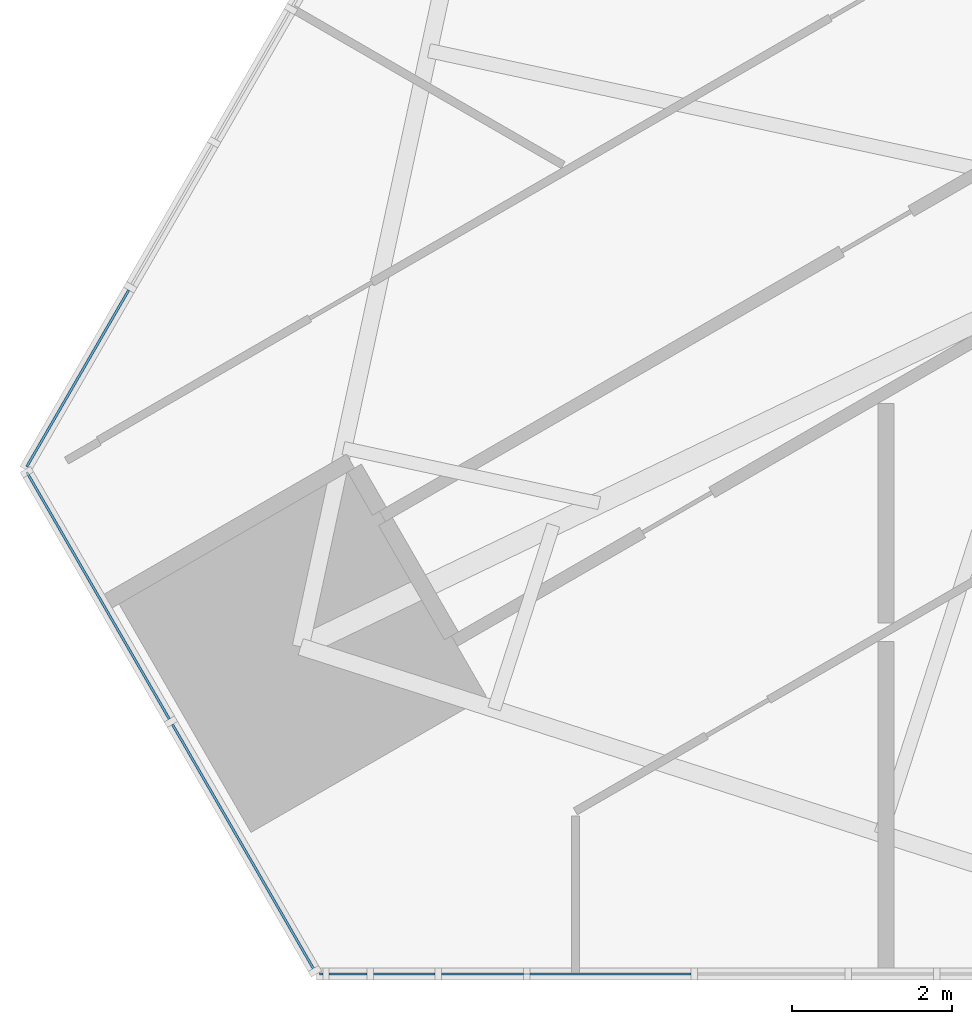
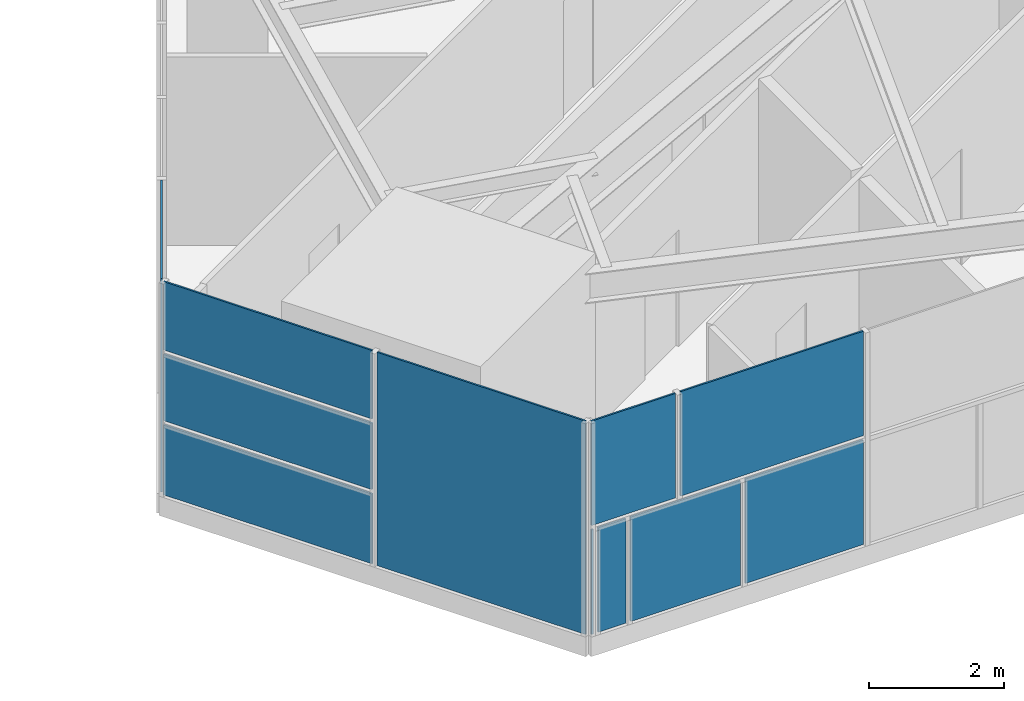
# One storey, part 11 of 25: 11 plates, 3 elements without a shape of their own.
"""IFC4 building model written with IfcOpenShell, lengths in metres."""

from ifc_helpers import new_model, si_unit, direction, frame, origin, place, context, subcontext, project, spatial, polyline, outline, extrude, material, layer, layer_set, type_object, element, aggregate, save


model = new_model("IFC4")

# Units and contexts
model_context = context("Model", 3, precision=1e-05, world=origin(), true_north=direction((0.0, 1.0)))
body_context = subcontext(model_context, "Body", "Model", "MODEL_VIEW")
ifc_project = project(units=[si_unit("LENGTHUNIT", "METRE"), si_unit("AREAUNIT", "SQUARE_METRE"), si_unit("VOLUMEUNIT", "CUBIC_METRE"), si_unit("PLANEANGLEUNIT", "RADIAN"), si_unit("MASSUNIT", "GRAM", prefix="KILO")], contexts=[model_context])

# Site, building, storey
site_placement = place(None, origin())
site = spatial("IfcSite", under=ifc_project, at=site_placement, CompositionType="ELEMENT")
building_placement = place(site_placement, origin())
building = spatial("IfcBuilding", under=site, at=building_placement, Name="Firuza Gate Tower and Library", CompositionType="ELEMENT")
storey_placement = place(building_placement, frame((0.0, 0.0, 86.199951171875)))
storey = spatial("IfcBuildingStorey", under=building, at=storey_placement, Name="L19", CompositionType="ELEMENT", Elevation=86.199951171875)

# Curtain wall, plates
ifc_material_1 = material(Name="Aluminium 6063-T6", Category="aluminium")
ifc_layer_1 = layer(ifc_material_1, 0.14990234375)
ifc_layer_set_1 = layer_set([ifc_layer_1], Name="Corner curtain wall, chamfers")
curtain_wall_type_1 = type_object("IfcCurtainWallType", Name="Corner curtain wall, chamfers", PredefinedType="NOTDEFINED", material=ifc_layer_set_1)
placement = place(storey_placement, origin())
curtain_wall_1 = element("IfcCurtainWall", 1, at=placement, inside=storey, type_object=curtain_wall_type_1, Name="CW4 L19 SW corner", PredefinedType="NOTDEFINED")
ifc_material_2 = material(Name="Fritted glass", Category="glass")
ifc_layer_2 = layer(ifc_material_2, 0.030029296875)
ifc_layer_set_2 = layer_set([ifc_layer_2], Name="Fritted glass unit, corners")
plate_type_1 = type_object("IfcPlateType", Name="Fritted glass unit, corners", PredefinedType="CURTAIN_PANEL", material=ifc_layer_set_2)
plate_1_placement = place(storey_placement, frame((43.011962890625, 60.6923828125, 0.150146484375), z_axis=(-0.866016723041, -0.500015035186, 0.0), x_axis=(0.500015035186, -0.866016723041, 0.0)))
plate_1 = element("IfcPlate", 2, at=plate_1_placement, type_object=plate_type_1, Name="Glass unit", PredefinedType="CURTAIN_PANEL", context=body_context, shape_type="SweptSolid", body=[
    extrude(outline(polyline([(0.0, 0.0), (3.5633694106530625, 0.0), (3.5633694106530625, 1.260009765625), (0.0, 1.260009765625), (0.0, 0.0)])), origin(), (0.0, 0.0, -1.0), 0.030029296875),
])
plate_2_placement = place(storey_placement, frame((43.011962890625, 60.6923828125, 1.489990234375), z_axis=(-0.866016723041, -0.500015035186, 0.0), x_axis=(0.500015035186, -0.866016723041, 0.0)))
plate_2 = element("IfcPlate", 3, at=plate_2_placement, type_object=plate_type_1, Name="Glass unit", PredefinedType="CURTAIN_PANEL", context=body_context, shape_type="SweptSolid", body=[
    extrude(outline(polyline([(0.0, 0.0), (3.5633694106530625, 0.0), (3.5633694106530625, 1.195068359375), (0.0, 1.195068359375), (0.0, 0.0)])), origin(), (0.0, 0.0, -1.0), 0.030029296875),
])

ifc_material_3 = material(Name="Aluminium 6063-T6", Category="aluminium")
ifc_layer_3 = layer(ifc_material_3, 0.14990234375)
ifc_layer_set_3 = layer_set([ifc_layer_3], Name="Unitised curtain wall, offices")
curtain_wall_type_2 = type_object("IfcCurtainWallType", Name="Unitised curtain wall, offices", PredefinedType="NOTDEFINED", material=ifc_layer_set_3)
curtain_wall_2 = element("IfcCurtainWall", 4, at=placement, inside=storey, type_object=curtain_wall_type_2, Name="CW1 L19 S face", PredefinedType="NOTDEFINED")
ifc_material_4 = material(Name="Fritted glass", Category="glass")
ifc_layer_4 = layer(ifc_material_4, 0.030029296875)
ifc_layer_set_4 = layer_set([ifc_layer_4], Name="Fritted glass unit, offices")
plate_type_2 = type_object("IfcPlateType", Name="Fritted glass unit, offices", PredefinedType="CURTAIN_PANEL", material=ifc_layer_set_4)
plate_3_placement = place(storey_placement, frame((46.806884765625, 54.4091796875, 0.150146484375), z_axis=(0.0, -1.0, 0.0), x_axis=(1.0, 0.0, 0.0)))
plate_3 = element("IfcPlate", 5, at=plate_3_placement, type_object=plate_type_2, Name="Glass unit", PredefinedType="CURTAIN_PANEL", context=body_context, shape_type="SweptSolid", body=[
    extrude(outline(polyline([(0.0, 0.0), (0.47265625, 0.0), (0.47265625, 1.885009765625), (0.0, 1.885009765625), (0.0, 0.0)])), origin(), (0.0, 0.0, -1.0), 0.030029296875),
])
plate_4_placement = place(storey_placement, frame((49.317626953125, 54.4091796875, 0.150146484375), z_axis=(0.0, -1.0, 0.0), x_axis=(1.0, 0.0, 0.0)))
plate_4 = element("IfcPlate", 6, at=plate_4_placement, type_object=plate_type_2, Name="Glass unit", PredefinedType="CURTAIN_PANEL", context=body_context, shape_type="SweptSolid", body=[
    extrude(outline(polyline([(0.0, 0.0), (2.015869140625, 0.0), (2.015869140625, 1.885009765625), (0.0, 1.885009765625), (0.0, 0.0)])), origin(), (0.0, 0.0, -1.0), 0.030029296875),
])
plate_5_placement = place(storey_placement, frame((48.208251953125, 54.4091796875, 2.114990234375), z_axis=(0.0, -1.0, 0.0), x_axis=(1.0, 0.0, 0.0)))
plate_5 = element("IfcPlate", 7, at=plate_5_placement, type_object=plate_type_2, Name="Glass unit", PredefinedType="CURTAIN_PANEL", context=body_context, shape_type="SweptSolid", body=[
    extrude(outline(polyline([(0.0, 0.0), (3.125244140625, 0.0), (3.125244140625, 1.885009765625), (0.0, 1.885009765625), (0.0, 0.0)])), origin(), (0.0, 0.0, -1.0), 0.030029296875),
])

# Plate
ifc_material_5 = material(Name="Glazed ceramic tile")
ifc_layer_5 = layer(ifc_material_5, 0.030029296875)
ifc_layer_set_5 = layer_set([ifc_layer_5], Name="Opaque ceramic panel, corners")
plate_type_3 = type_object("IfcPlateType", Name="Opaque ceramic panel, corners", PredefinedType="CURTAIN_PANEL", material=ifc_layer_set_5)
plate_6_placement = place(storey_placement, frame((43.011962890625, 60.6923828125, 2.76513671875), z_axis=(-0.866016723041, -0.500015035186, 0.0), x_axis=(0.500015035186, -0.866016723041, 0.0)))
plate_6 = element("IfcPlate", 8, at=plate_6_placement, type_object=plate_type_3, Name="Opaque ceramic panel", PredefinedType="CURTAIN_PANEL", context=body_context, shape_type="SweptSolid", body=[
    extrude(outline(polyline([(0.0, 0.0), (3.5633694106530625, 0.0), (3.5633694106530625, 1.23486328125), (0.0, 1.23486328125), (0.0, 0.0)])), origin(), (0.0, 0.0, -1.0), 0.030029296875),
])

plate_7_placement = place(storey_placement, frame((44.833740234375, 57.537353515625, 0.150146484375), z_axis=(-0.866046390552, -0.49996364809, 0.0), x_axis=(0.49996364809, -0.866046390552, 0.0)))
plate_7 = element("IfcPlate", 9, at=plate_7_placement, type_object=plate_type_3, Name="Opaque ceramic panel", PredefinedType="CURTAIN_PANEL", context=body_context, shape_type="SweptSolid", body=[
    extrude(outline(polyline([(0.0, 0.0), (3.563247342942594, 0.0), (3.563247342942594, 3.849853515625), (0.0, 3.849853515625), (0.0, 0.0)])), origin(), (0.0, 0.0, -1.0), 0.030029296875),
])

aggregate(curtain_wall_1, [plate_1, plate_2, plate_6, plate_7])

ifc_material_6 = material(Name="Glazed ceramic tile")
ifc_layer_6 = layer(ifc_material_6, 0.030029296875)
ifc_layer_set_6 = layer_set([ifc_layer_6], Name="Opaque ceramic panel, offices")
plate_type_4 = type_object("IfcPlateType", Name="Opaque ceramic panel, offices", PredefinedType="CURTAIN_PANEL", material=ifc_layer_set_6)
plate_8_placement = place(storey_placement, frame((46.688232421875, 54.4091796875, 0.150146484375), z_axis=(0.0, -1.0, 0.0), x_axis=(1.0, 0.0, 0.0)))
plate_8 = element("IfcPlate", 10, at=plate_8_placement, type_object=plate_type_4, Name="Opaque ceramic panel", PredefinedType="CURTAIN_PANEL", context=body_context, shape_type="SweptSolid", body=[
    extrude(outline(polyline([(0.0, 0.0), (0.03857421875, 0.0), (0.03857421875, 1.885009765625), (0.0, 1.885009765625), (0.0, 0.0)])), origin(), (0.0, 0.0, -1.0), 0.030029296875),
])

plate_9_placement = place(storey_placement, frame((47.359619140625, 54.4091796875, 0.150146484375), z_axis=(0.0, -1.0, 0.0), x_axis=(1.0, 0.0, 0.0)))
plate_9 = element("IfcPlate", 11, at=plate_9_placement, type_object=plate_type_4, Name="Opaque ceramic panel", PredefinedType="CURTAIN_PANEL", context=body_context, shape_type="SweptSolid", body=[
    extrude(outline(polyline([(0.0, 0.0), (1.8779296875, 0.0), (1.8779296875, 1.885009765625), (0.0, 1.885009765625), (0.0, 0.0)])), origin(), (0.0, 0.0, -1.0), 0.030029296875),
])

plate_10_placement = place(storey_placement, frame((46.688232421875, 54.4091796875, 2.114990234375), z_axis=(0.0, -1.0, 0.0), x_axis=(1.0, 0.0, 0.0)))
plate_10 = element("IfcPlate", 12, at=plate_10_placement, type_object=plate_type_4, Name="Opaque ceramic panel", PredefinedType="CURTAIN_PANEL", context=body_context, shape_type="SweptSolid", body=[
    extrude(outline(polyline([(0.0, 0.0), (1.43994140625, 0.0), (1.43994140625, 1.885009765625), (0.0, 1.885009765625), (0.0, 0.0)])), origin(), (0.0, 0.0, -1.0), 0.030029296875),
])

aggregate(curtain_wall_2, [plate_8, plate_3, plate_9, plate_4, plate_10, plate_5])

# Curtain wall, plate
curtain_wall_3 = element("IfcCurtainWall", 13, at=placement, inside=storey, type_object=curtain_wall_type_2, Name="CW1 L19 W face", PredefinedType="NOTDEFINED")
plate_11_placement = place(storey_placement, frame((44.28662109375, 62.984619140625, 0.150146484375), z_axis=(-0.866048450576, 0.499960079661, 0.0), x_axis=(-0.499960079661, -0.866048450576, 0.0)))
plate_11 = element("IfcPlate", 14, at=plate_11_placement, type_object=plate_type_4, Name="Opaque ceramic panel", PredefinedType="CURTAIN_PANEL", context=body_context, shape_type="SweptSolid", body=[
    extrude(outline(polyline([(0.0, 0.0), (2.5495199616506024, 0.0), (2.5495199616506024, 3.849853515625), (0.0, 3.849853515625), (0.0, 0.0)])), origin(), (0.0, 0.0, -1.0), 0.030029296875),
])
aggregate(curtain_wall_3, [plate_11])

save(model, "model.ifc")
